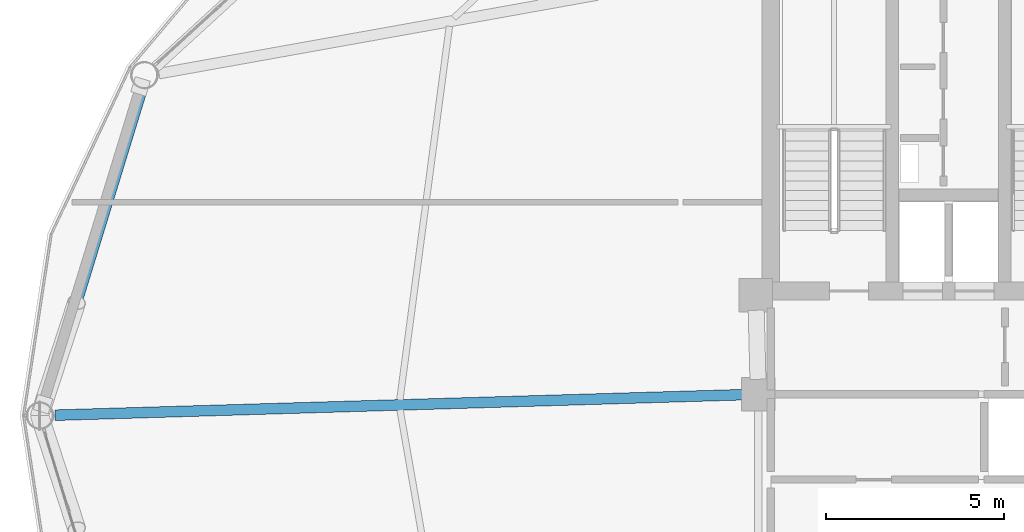
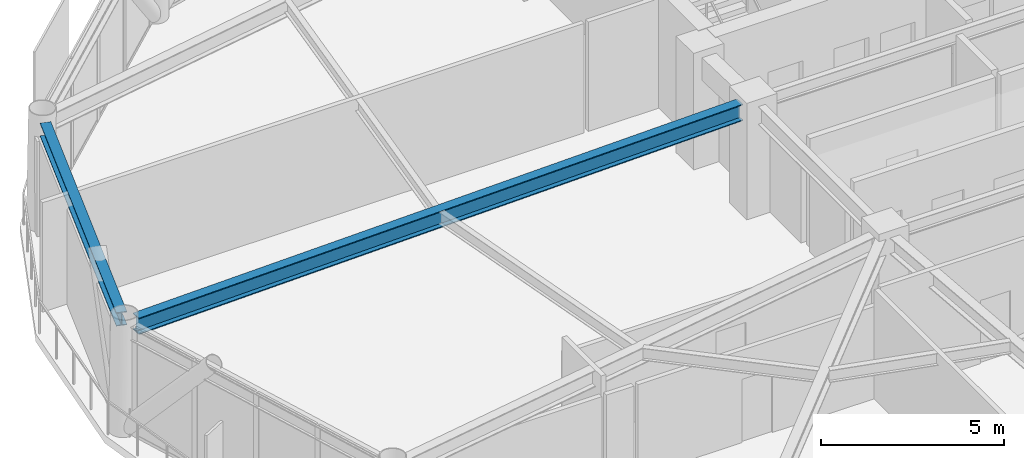
# One storey, part 11 of 27: 2 beams.
"""IFC4 building model written with IfcOpenShell, lengths in metres."""

import ifcopenshell
import ifcopenshell.guid

model = None  # the IFC model being written
_history = None  # IfcOwnerHistory: only IFC2X3 demands one
_inside = {}  # id of a spatial element -> (the spatial element, [elements in it])
_under = {}  # id of a project, library or spatial element -> (it, [spatial elements below it])
_declared = {}  # id of a project -> (the project, [libraries it declares])
_typed = {}  # id of a type object -> (the type object, [elements of that type])
_made_of = {}  # id of a material, layer set ... -> (it, [elements and type objects made of it])


def new_model(schema):
    """Start an empty IFC model of exactly this schema.

    Asked for "IFC4X3", IfcOpenShell would pick the latest addendum, in which some entities
    have other attributes; the version numbers below select the first issue.
    IFC2X3 requires an IfcOwnerHistory on every rooted entity: one is made here for all.
    """
    global model, _history
    if schema == "IFC4X3":
        model = ifcopenshell.file(schema_version=(4, 3, 0, 0))
    else:
        model = ifcopenshell.file(schema=schema)
    _inside.clear()
    _under.clear()
    _declared.clear()
    _typed.clear()
    _made_of.clear()
    _history = None
    if model.schema == "IFC2X3":
        org = make("IfcOrganization", Name="unknown")
        user = make(
            "IfcPersonAndOrganization",
            ThePerson=make("IfcPerson", FamilyName="unknown"),
            TheOrganization=org,
        )
        app = make(
            "IfcApplication",
            ApplicationDeveloper=org,
            Version="unknown",
            ApplicationFullName="unknown",
            ApplicationIdentifier="unknown",
        )
        _history = make(
            "IfcOwnerHistory",
            OwningUser=user,
            OwningApplication=app,
            ChangeAction="ADDED",
            CreationDate=0,
        )
    return model


def make(cls, **values):
    """One entity of the class cls with the attributes given. An attribute that is None is left unset."""
    return model.create_entity(
        cls, **{name: value for name, value in values.items() if value is not None}
    )


def rooted(cls, **values):
    """An entity with a GlobalId (a new one), such as an element, a storey or a relation."""
    return make(cls, GlobalId=ifcopenshell.guid.new(), OwnerHistory=_history, **values)


def si_unit(unit_type, name, prefix=None):
    """IfcSIUnit, for example si_unit("LENGTHUNIT", "METRE", prefix="MILLI")."""
    return make("IfcSIUnit", UnitType=unit_type, Prefix=prefix, Name=name)


def assignment(units):
    """IfcUnitAssignment: the units of a project."""
    return None if units is None else make("IfcUnitAssignment", Units=units)


def point(xyz):
    """IfcCartesianPoint."""
    return None if xyz is None else make("IfcCartesianPoint", Coordinates=xyz)


def direction(xyz):
    """IfcDirection."""
    return None if xyz is None else make("IfcDirection", DirectionRatios=xyz)


def frame(location, z_axis=None, x_axis=None):
    """IfcAxis2Placement3D, a coordinate frame: its origin and axes. An axis left out is left unset."""
    return make(
        "IfcAxis2Placement3D",
        Location=point(location),
        Axis=direction(z_axis),
        RefDirection=direction(x_axis),
    )


def frame_2d(location, x_axis=None):
    """IfcAxis2Placement2D, a coordinate frame in the plane: its origin and x axis."""
    return make(
        "IfcAxis2Placement2D", Location=point(location), RefDirection=direction(x_axis)
    )


def origin():
    """The frame at (0, 0, 0) with its axes left unset."""
    return frame((0.0, 0.0, 0.0))


def origin_2d():
    """The frame at (0, 0) in the plane with its x axis left unset."""
    return frame_2d((0.0, 0.0))


def place(relative_to, where):
    """IfcLocalPlacement: puts the frame where relative to a parent placement (None: the world)."""
    return make(
        "IfcLocalPlacement", PlacementRelTo=relative_to, RelativePlacement=where
    )


def context(
    kind, dimensions, precision=None, world=None, true_north=None, identifier=None
):
    """IfcGeometricRepresentationContext, for example the 3D "Model" context."""
    return make(
        "IfcGeometricRepresentationContext",
        ContextIdentifier=identifier,
        ContextType=kind,
        CoordinateSpaceDimension=dimensions,
        Precision=precision,
        WorldCoordinateSystem=world,
        TrueNorth=true_north,
    )


def subcontext(parent, identifier, kind, view, scale=None):
    """IfcGeometricRepresentationSubContext, for example "Body" below "Model"."""
    return make(
        "IfcGeometricRepresentationSubContext",
        ContextIdentifier=identifier,
        ContextType=kind,
        ParentContext=parent,
        TargetScale=scale,
        TargetView=view,
    )


def project(units=None, contexts=None):
    """IfcProject with its units and contexts."""
    return rooted(
        "IfcProject",
        Name="project",
        RepresentationContexts=contexts,
        UnitsInContext=assignment(units),
    )


def spatial(cls, under=None, at=None, **own):
    """A site, building, storey or space (cls), placed at a placement, below another one or the project."""
    s = rooted(cls, ObjectPlacement=at, **own)
    if under is not None:
        _under.setdefault(under.id(), (under, []))[1].append(s)
    return s


def profile(cls, at=None, kind="AREA", **sizes):
    """A parametric profile (cls). Its sizes go by their IFC names, for example OverallWidth=200.0."""
    return make(cls, ProfileType=kind, Position=at, **sizes)


def i_section(**sizes):
    """IfcIShapeProfileDef."""
    return profile("IfcIShapeProfileDef", **sizes)


def extrude(swept, where, along, depth):
    """IfcExtrudedAreaSolid: the profile swept, set in the frame where, extruded along a direction by depth."""
    return make(
        "IfcExtrudedAreaSolid",
        SweptArea=swept,
        Position=where,
        ExtrudedDirection=direction(along),
        Depth=depth,
    )


def shape(context_of_items, identifier, shape_type, items):
    """IfcShapeRepresentation: the items that make up one representation, for example the "Body"."""
    return make(
        "IfcShapeRepresentation",
        ContextOfItems=context_of_items,
        RepresentationIdentifier=identifier,
        RepresentationType=shape_type,
        Items=items,
    )


def material(Name=None, Category=None):
    """IfcMaterial."""
    return make("IfcMaterial", Name=Name, Category=Category)


def material_profile(
    of_material, cross_section, Name=None, Category=None, Priority=None
):
    """IfcMaterialProfile: a cross section and its material."""
    return make(
        "IfcMaterialProfile",
        Name=Name,
        Material=of_material,
        Profile=cross_section,
        Priority=Priority,
        Category=Category,
    )


def profile_set(profiles, Name=None, composite=None):
    """IfcMaterialProfileSet."""
    return make(
        "IfcMaterialProfileSet",
        Name=Name,
        MaterialProfiles=profiles,
        CompositeProfile=composite,
    )


def made_of(thing, what):
    """Note that an element or type object is made of a material, layer set ...; save() writes the relation."""
    if what is not None:
        _made_of.setdefault(what.id(), (what, []))[1].append(thing)
    return thing


def type_object(cls, material=None, **own):
    """A type object (cls), such as IfcWallType, which elements share."""
    return made_of(rooted(cls, **own), material)


def element(
    cls,
    number,
    at=None,
    inside=None,
    cuts=None,
    type_object=None,
    material=None,
    context=None,
    identifier="Body",
    shape_type=None,
    held_by="IfcProductDefinitionShape",
    body=None,
    shapes=None,
    **own,
):
    """One element of the class cls, such as IfcWall. Its Tag is "e" and its number.

    at: its placement. inside: the storey or other place that contains it. cuts: it is an
    opening in that element (IfcRelVoidsElement). A single representation is given by context,
    identifier, shape_type and body (its items); several are given by shapes. held_by: the class
    of the entity that holds the representations. save() writes the other relations.
    """
    e = rooted(cls, Tag="e%d" % number, ObjectPlacement=at, **own)
    if body is not None:
        shapes = [shape(context, identifier, shape_type, body)]
    if shapes is not None:
        e.Representation = make(held_by, Representations=shapes)
    if inside is not None:
        _inside.setdefault(inside.id(), (inside, []))[1].append(e)
    if cuts is not None:
        rooted(
            "IfcRelVoidsElement", RelatingBuildingElement=cuts, RelatedOpeningElement=e
        )
    if type_object is not None:
        _typed.setdefault(type_object.id(), (type_object, []))[1].append(e)
    return made_of(e, material)


def aggregate(whole, parts):
    """IfcRelAggregates: a whole, such as a stair, and the parts it consists of."""
    return rooted("IfcRelAggregates", RelatingObject=whole, RelatedObjects=parts)


def save(model, path):
    """Write the relations noted so far, then the file.

    IfcRelAggregates (storeys below a building ...), IfcRelContainedInSpatialStructure (elements
    in a storey), IfcRelDefinesByType, IfcRelAssociatesMaterial and IfcRelDeclares: one each for
    every whole, place, type object, material and project.
    """
    for whole, parts in _under.values():
        aggregate(whole, parts)
    for where, things in _inside.values():
        rooted(
            "IfcRelContainedInSpatialStructure",
            RelatedElements=things,
            RelatingStructure=where,
        )
    for kind, things in _typed.values():
        rooted("IfcRelDefinesByType", RelatedObjects=things, RelatingType=kind)
    for what, things in _made_of.values():
        rooted("IfcRelAssociatesMaterial", RelatedObjects=things, RelatingMaterial=what)
    for by, libraries in _declared.values():
        rooted("IfcRelDeclares", RelatingContext=by, RelatedDefinitions=libraries)
    model.write(path)


model = new_model("IFC4")

# Units and contexts
model_context = context("Model", 3, precision=1e-05, world=origin(), true_north=direction((0.0, 1.0)))
body_context = subcontext(model_context, "Body", "Model", "MODEL_VIEW")
ifc_project = project(units=[si_unit("LENGTHUNIT", "METRE"), si_unit("AREAUNIT", "SQUARE_METRE"), si_unit("VOLUMEUNIT", "CUBIC_METRE"), si_unit("PLANEANGLEUNIT", "RADIAN"), si_unit("MASSUNIT", "GRAM", prefix="KILO")], contexts=[model_context])

# Site, building, storey
site_placement = place(None, origin())
site = spatial("IfcSite", under=ifc_project, at=site_placement, CompositionType="ELEMENT")
building_placement = place(site_placement, origin())
building = spatial("IfcBuilding", under=site, at=building_placement, Name="Varnakorn Sky Granary", CompositionType="ELEMENT")
storey_placement = place(building_placement, frame((0.0, 0.0, 134.39990234375)))
storey = spatial("IfcBuildingStorey", under=building, at=storey_placement, Name="L33", CompositionType="ELEMENT", Elevation=134.39990234375)

# Beams
ifc_material = material(Name="Steel S355JR", Category="steel")
ifc_material_profile_1 = material_profile(ifc_material, i_section(OverallWidth=0.300048828125, OverallDepth=0.550048828125, WebThickness=0.014892578125, FlangeThickness=0.029052734375, at=origin_2d()), Name="HE 550 B")
ifc_profile_set_1 = profile_set([ifc_material_profile_1], Name="Steel S355JR")
beam_type_1 = type_object("IfcBeamType", Name="BM-RAD-Z3", PredefinedType="BEAM", material=ifc_profile_set_1)
beam_1_placement = place(storey_placement, frame((-2.769775390625, 0.58740234375, 3.364990234375), z_axis=(-0.999556486014, -0.029779712336, 0.0), x_axis=(0.029779712336, -0.999556486014, 0.0)))
element("IfcBeam", 1, at=beam_1_placement, inside=storey, type_object=beam_type_1, Name="Radial Floor Girder RG07 L33", PredefinedType="BEAM", context=body_context, shape_type="SweptSolid", body=[
    extrude(i_section(OverallWidth=0.300048828125, OverallDepth=0.550048828125, WebThickness=0.014892578125, FlangeThickness=0.029052734375, at=origin_2d()), origin(), (0.0, 0.0, 1.0), 19.35595703125),
])
ifc_material_profile_2 = material_profile(ifc_material, i_section(OverallWidth=0.300048828125, OverallDepth=0.449951171875, WebThickness=0.013916015625, FlangeThickness=0.02587890625, at=origin_2d()), Name="HE 450 B")
ifc_profile_set_2 = profile_set([ifc_material_profile_2], Name="Steel S355JR")
beam_type_2 = type_object("IfcBeamType", Name="BM-SPD-Z3", PredefinedType="SPANDREL", material=ifc_profile_set_2)
beam_2_placement = place(storey_placement, frame((-19.662109375, 9.197998046875, 3.4150390625), z_axis=(-0.293208925208, -0.956048391128, 0.0), x_axis=(0.956048391128, -0.293208925208, 0.0)))
element("IfcBeam", 2, at=beam_2_placement, inside=storey, type_object=beam_type_2, Name="Perimeter Spandrel Ring Beam RB06 L33", PredefinedType="SPANDREL", context=body_context, shape_type="SweptSolid", body=[
    extrude(i_section(OverallWidth=0.300048828125, OverallDepth=0.449951171875, WebThickness=0.013916015625, FlangeThickness=0.02587890625, at=origin_2d()), origin(), (0.0, 0.0, 1.0), 9.2548828125),
])

save(model, "model.ifc")
